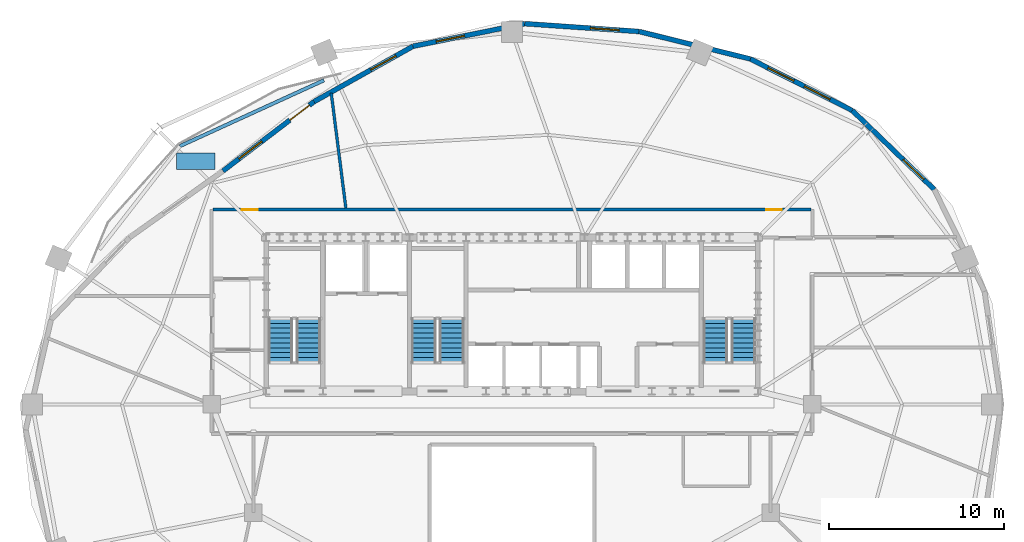
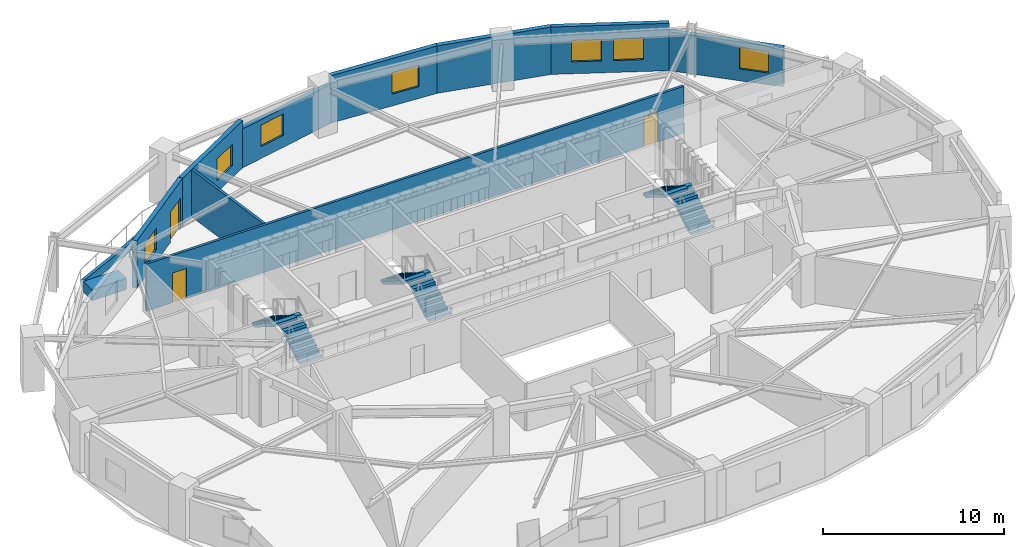
# One storey, part 6 of 10: 10 walls, 7 windows, 6 stair flights, 3 doors, 1 discrete accessory, 10 openings, 3 elements without a shape of their own.
"""IFC4 building model written with IfcOpenShell, lengths in metres."""

from ifc_helpers import new_model, si_unit, direction, frame, frame_2d, origin, origin_2d, place, context, subcontext, project, spatial, polyline, rectangle, outline, extrude, material, layer, layer_set, type_object, element, fill, aggregate, save


model = new_model("IFC4")

# Units and contexts
model_context = context("Model", 3, precision=1e-05, world=origin(), true_north=direction((0.0, 1.0)))
body_context = subcontext(model_context, "Body", "Model", "MODEL_VIEW")
ifc_project = project(units=[si_unit("LENGTHUNIT", "METRE"), si_unit("AREAUNIT", "SQUARE_METRE"), si_unit("VOLUMEUNIT", "CUBIC_METRE"), si_unit("PLANEANGLEUNIT", "RADIAN"), si_unit("MASSUNIT", "GRAM", prefix="KILO")], contexts=[model_context])

# Site, building, storey
site_placement = place(None, origin())
site = spatial("IfcSite", under=ifc_project, at=site_placement, CompositionType="ELEMENT")
building_placement = place(site_placement, origin())
building = spatial("IfcBuilding", under=site, at=building_placement, Name="Haldorwick Loom Tower", CompositionType="ELEMENT")
storey_placement = place(building_placement, frame((0.0, 0.0, 185.5)))
storey = spatial("IfcBuildingStorey", under=building, at=storey_placement, Name="L50", CompositionType="ELEMENT", Elevation=185.5)

# Wall, opening, window
ifc_material_1 = material(Name="Pressed Clay Face Brick and Insulated Masonry Backup Assembly", Category="masonry")
ifc_layer_1 = layer(ifc_material_1, 0.280029296875, Name="Pressed Clay Face Brick and Insulated Masonry Backup Assembly", Category="masonry")
ifc_layer_set_1 = layer_set([ifc_layer_1], Name="Pressed Clay Face Brick and Insulated Masonry Backup Assembly")
wall_type_1 = type_object("IfcWallType", Name="ARC-WL-EXT280", PredefinedType="STANDARD", material=ifc_layer_set_1)
wall_1_placement = place(storey_placement, frame((60.16943359375, 38.30419921875, 0.0), z_axis=(0.0, 0.0, 1.0), x_axis=(-0.720077891646, 0.693893241041, 0.0)))
wall_1 = element("IfcWall", 1, at=wall_1_placement, inside=storey, type_object=wall_type_1, Name="L50 Brick Pier and Spandrel Wall 3", PredefinedType="STANDARD", context=body_context, shape_type="SweptSolid", body=[
    extrude(rectangle(XDim=6.508056640625, YDim=0.280029296875, at=frame_2d((3.25390625, 0.0))), origin(), (0.0, 0.0, 1.0), 2.62109375),
])
opening_1_placement = place(wall_1_placement, frame((0.8173828125, 0.0, 0.800048828125)))
opening_1 = element("IfcOpeningElement", 2, at=opening_1_placement, cuts=wall_1, Name="Opening W-01B", PredefinedType="OPENING", context=body_context, shape_type="SweptSolid", body=[
    extrude(rectangle(XDim=1.64990234375, YDim=1.449951171875, at=frame_2d((0.824951171875, 0.72509765625))), frame((0.0, 0.14990234375, 0.0), z_axis=(0.0, -1.0, 0.0), x_axis=(1.0, 0.0, 0.0)), (0.0, 0.0, 1.0), 0.300048828125),
])
ifc_material_2 = material(Name="Triple-Glazed Low-E Argon Insulated Glazing Unit", Category="glass")
window_type = type_object("IfcWindowType", Name="ARC-WIN-W165", PartitioningType="SINGLE_PANEL", PredefinedType="WINDOW", material=ifc_material_2)
window_1_placement = place(opening_1_placement, origin())
window_1 = element("IfcWindow", 3, at=window_1_placement, inside=storey, type_object=window_type, Name="L50 Deep-Set Zone 7A Window 3", OverallHeight=1.449951171875, OverallWidth=1.64990234375, PartitioningType="SINGLE_PANEL", PredefinedType="WINDOW", context=body_context, shape_type="SweptSolid", body=[
    extrude(rectangle(XDim=1.64990234375, YDim=1.449951171875, at=frame_2d((0.824951171875, 0.72509765625))), frame((0.0, 0.030029296875, 0.0), z_axis=(0.0, -1.0, 0.0), x_axis=(1.0, 0.0, 0.0)), (0.0, 0.0, 1.0), 0.06005859375),
])
fill(opening_1, window_1)

# Wall, openings, windows
wall_2_placement = place(storey_placement, frame((55.483154296875, 42.820068359375, 0.0), z_axis=(0.0, 0.0, 1.0), x_axis=(-0.89230520763, 0.451432626685, 0.0)))
wall_2 = element("IfcWall", 4, at=wall_2_placement, inside=storey, type_object=wall_type_1, Name="L50 Brick Pier and Spandrel Wall 4", PredefinedType="STANDARD", context=body_context, shape_type="SweptSolid", body=[
    extrude(rectangle(XDim=6.542724609375, YDim=0.280029296875, at=frame_2d((3.271484375, 0.0))), origin(), (0.0, 0.0, 1.0), 3.18994140625),
])
opening_2_placement = place(wall_2_placement, frame((1.423095703125, 0.0, 0.800048828125)))
opening_2 = element("IfcOpeningElement", 5, at=opening_2_placement, cuts=wall_2, Name="Opening W-01B", PredefinedType="OPENING", context=body_context, shape_type="SweptSolid", body=[
    extrude(rectangle(XDim=1.64990234375, YDim=1.449951171875, at=frame_2d((0.824951171875, 0.72509765625))), frame((0.0, 0.14990234375, 0.0), z_axis=(0.0, -1.0, 0.0), x_axis=(1.0, 0.0, 0.0)), (0.0, 0.0, 1.0), 0.300048828125),
])
opening_3_placement = place(wall_2_placement, frame((3.7548828125, 0.0, 0.800048828125)))
opening_3 = element("IfcOpeningElement", 6, at=opening_3_placement, cuts=wall_2, Name="Opening W-01B", PredefinedType="OPENING", context=body_context, shape_type="SweptSolid", body=[
    extrude(rectangle(XDim=1.64990234375, YDim=1.449951171875, at=frame_2d((0.824951171875, 0.72509765625))), frame((0.0, 0.14990234375, 0.0), z_axis=(0.0, -1.0, 0.0), x_axis=(1.0, 0.0, 0.0)), (0.0, 0.0, 1.0), 0.300048828125),
])
window_2_placement = place(opening_2_placement, origin())
window_2 = element("IfcWindow", 7, at=window_2_placement, inside=storey, type_object=window_type, Name="L50 Deep-Set Zone 7A Window 4", OverallHeight=1.449951171875, OverallWidth=1.64990234375, PartitioningType="SINGLE_PANEL", PredefinedType="WINDOW", context=body_context, shape_type="SweptSolid", body=[
    extrude(rectangle(XDim=1.64990234375, YDim=1.449951171875, at=frame_2d((0.824951171875, 0.72509765625))), frame((0.0, 0.030029296875, 0.0), z_axis=(0.0, -1.0, 0.0), x_axis=(1.0, 0.0, 0.0)), (0.0, 0.0, 1.0), 0.06005859375),
])
fill(opening_2, window_2)
window_3_placement = place(opening_3_placement, origin())
window_3 = element("IfcWindow", 8, at=window_3_placement, inside=storey, type_object=window_type, Name="L50 Deep-Set Zone 7A Window 4", OverallHeight=1.449951171875, OverallWidth=1.64990234375, PartitioningType="SINGLE_PANEL", PredefinedType="WINDOW", context=body_context, shape_type="SweptSolid", body=[
    extrude(rectangle(XDim=1.64990234375, YDim=1.449951171875, at=frame_2d((0.824951171875, 0.72509765625))), frame((0.0, 0.030029296875, 0.0), z_axis=(0.0, -1.0, 0.0), x_axis=(1.0, 0.0, 0.0)), (0.0, 0.0, 1.0), 0.06005859375),
])
fill(opening_3, window_3)

# Wall
wall_3_placement = place(storey_placement, frame((49.64501953125, 45.773681640625, 0.0), z_axis=(0.0, 0.0, 1.0), x_axis=(-0.970868983221, 0.239610970991, 0.0)))
element("IfcWall", 9, at=wall_3_placement, inside=storey, type_object=wall_type_1, Name="L50 Brick Pier and Spandrel Wall 5", PredefinedType="STANDARD", context=body_context, shape_type="SweptSolid", body=[
    extrude(rectangle(XDim=6.562744140625, YDim=0.280029296875, at=frame_2d((3.28125, 0.0))), origin(), (0.0, 0.0, 1.0), 3.18994140625),
])

# Wall, opening, window
wall_4_placement = place(storey_placement, frame((43.2734375, 47.34619140625, 0.0), z_axis=(0.0, 0.0, 1.0), x_axis=(-0.997664997633, 0.068297529217, 0.0)))
wall_4 = element("IfcWall", 10, at=wall_4_placement, inside=storey, type_object=wall_type_1, Name="L50 Brick Pier and Spandrel Wall 6", PredefinedType="STANDARD", context=body_context, shape_type="SweptSolid", body=[
    extrude(rectangle(XDim=6.5595703125, YDim=0.280029296875, at=frame_2d((3.27978515625, 0.0))), origin(), (0.0, 0.0, 1.0), 3.18994140625),
])
opening_4_placement = place(wall_4_placement, frame((1.142822265625, 0.0, 0.800048828125)))
opening_4 = element("IfcOpeningElement", 11, at=opening_4_placement, cuts=wall_4, Name="Opening W-01B", PredefinedType="OPENING", context=body_context, shape_type="SweptSolid", body=[
    extrude(rectangle(XDim=1.64990234375, YDim=1.449951171875, at=frame_2d((0.824951171875, 0.72509765625))), frame((0.0, 0.14990234375, 0.0), z_axis=(0.0, -1.0, 0.0), x_axis=(1.0, 0.0, 0.0)), (0.0, 0.0, 1.0), 0.300048828125),
])
window_4_placement = place(opening_4_placement, origin())
window_4 = element("IfcWindow", 12, at=window_4_placement, inside=storey, type_object=window_type, Name="L50 Deep-Set Zone 7A Window 6", OverallHeight=1.449951171875, OverallWidth=1.64990234375, PartitioningType="SINGLE_PANEL", PredefinedType="WINDOW", context=body_context, shape_type="SweptSolid", body=[
    extrude(rectangle(XDim=1.64990234375, YDim=1.449951171875, at=frame_2d((0.824951171875, 0.72509765625))), frame((0.0, 0.030029296875, 0.0), z_axis=(0.0, -1.0, 0.0), x_axis=(1.0, 0.0, 0.0)), (0.0, 0.0, 1.0), 0.06005859375),
])
fill(opening_4, window_4)

wall_5_placement = place(storey_placement, frame((36.729248046875, 47.794189453125, 0.0), z_axis=(0.0, 0.0, 1.0), x_axis=(-0.980155547325, -0.198229924702, 0.0)))
wall_5 = element("IfcWall", 13, at=wall_5_placement, inside=storey, type_object=wall_type_1, Name="L50 Brick Pier and Spandrel Wall 7", PredefinedType="STANDARD", context=body_context, shape_type="SweptSolid", body=[
    extrude(rectangle(XDim=6.52880859375, YDim=0.280029296875, at=frame_2d((3.264404296875, 0.0))), origin(), (0.0, 0.0, 1.0), 2.62109375),
])
opening_5_placement = place(wall_5_placement, frame((3.51904296875, 0.0, 0.800048828125)))
opening_5 = element("IfcOpeningElement", 14, at=opening_5_placement, cuts=wall_5, Name="Opening W-01B", PredefinedType="OPENING", context=body_context, shape_type="SweptSolid", body=[
    extrude(rectangle(XDim=1.64990234375, YDim=1.449951171875, at=frame_2d((0.824951171875, 0.72509765625))), frame((0.0, 0.14990234375, 0.0), z_axis=(0.0, -1.0, 0.0), x_axis=(1.0, 0.0, 0.0)), (0.0, 0.0, 1.0), 0.300048828125),
])
window_5_placement = place(opening_5_placement, origin())
window_5 = element("IfcWindow", 15, at=window_5_placement, inside=storey, type_object=window_type, Name="L50 Deep-Set Zone 7A Window 7", OverallHeight=1.449951171875, OverallWidth=1.64990234375, PartitioningType="SINGLE_PANEL", PredefinedType="WINDOW", context=body_context, shape_type="SweptSolid", body=[
    extrude(rectangle(XDim=1.64990234375, YDim=1.449951171875, at=frame_2d((0.824951171875, 0.72509765625))), frame((0.0, 0.030029296875, 0.0), z_axis=(0.0, -1.0, 0.0), x_axis=(1.0, 0.0, 0.0)), (0.0, 0.0, 1.0), 0.06005859375),
])
fill(opening_5, window_5)

wall_6_placement = place(storey_placement, frame((30.330078125, 46.5, 0.0), z_axis=(0.0, 0.0, 1.0), x_axis=(-0.872575282688, -0.488479657757, 0.0)))
wall_6 = element("IfcWall", 16, at=wall_6_placement, inside=storey, type_object=wall_type_1, Name="L50 Brick Pier and Spandrel Wall 8", PredefinedType="STANDARD", context=body_context, shape_type="SweptSolid", body=[
    extrude(rectangle(XDim=6.490478515625, YDim=0.280029296875, at=frame_2d((3.2451171875, 0.0))), origin(), (0.0, 0.0, 1.0), 3.18994140625),
])
opening_6_placement = place(wall_6_placement, frame((1.1220703125, 0.0, 0.800048828125)))
opening_6 = element("IfcOpeningElement", 17, at=opening_6_placement, cuts=wall_6, Name="Opening W-01B", PredefinedType="OPENING", context=body_context, shape_type="SweptSolid", body=[
    extrude(rectangle(XDim=1.64990234375, YDim=1.449951171875, at=frame_2d((0.824951171875, 0.72509765625))), frame((0.0, 0.14990234375, 0.0), z_axis=(0.0, -1.0, 0.0), x_axis=(1.0, 0.0, 0.0)), (0.0, 0.0, 1.0), 0.300048828125),
])
window_6_placement = place(opening_6_placement, origin())
window_6 = element("IfcWindow", 18, at=window_6_placement, inside=storey, type_object=window_type, Name="L50 Deep-Set Zone 7A Window 8", OverallHeight=1.449951171875, OverallWidth=1.64990234375, PartitioningType="SINGLE_PANEL", PredefinedType="WINDOW", context=body_context, shape_type="SweptSolid", body=[
    extrude(rectangle(XDim=1.64990234375, YDim=1.449951171875, at=frame_2d((0.824951171875, 0.72509765625))), frame((0.0, 0.030029296875, 0.0), z_axis=(0.0, -1.0, 0.0), x_axis=(1.0, 0.0, 0.0)), (0.0, 0.0, 1.0), 0.06005859375),
])
fill(opening_6, window_6)

# Wall, openings, door, window
wall_7_placement = place(storey_placement, frame((24.666748046875, 43.32958984375, 0.0), z_axis=(0.0, 0.0, 1.0), x_axis=(-0.795713912937, -0.605672658091, 0.0)))
wall_7 = element("IfcWall", 19, at=wall_7_placement, inside=storey, type_object=wall_type_1, Name="L50 Brick Pier and Spandrel Wall 9", PredefinedType="STANDARD", context=body_context, shape_type="SweptSolid", body=[
    extrude(rectangle(XDim=6.5517578125, YDim=0.280029296875, at=frame_2d((3.27587890625, 0.0))), origin(), (0.0, 0.0, 1.0), 3.18994140625),
])
opening_7_placement = place(wall_7_placement, frame((0.340087890625, 0.0, 0.0)))
opening_7 = element("IfcOpeningElement", 20, at=opening_7_placement, cuts=wall_7, Name="Opening D-TR14", PredefinedType="OPENING", context=body_context, shape_type="SweptSolid", body=[
    extrude(rectangle(XDim=1.39990234375, YDim=2.0400390625, at=frame_2d((0.699951171875, 1.02001953125))), frame((0.0, 0.14990234375, 0.0), z_axis=(0.0, -1.0, 0.0), x_axis=(1.0, 0.0, 0.0)), (0.0, 0.0, 1.0), 0.300048828125),
])
opening_8_placement = place(wall_7_placement, frame((3.76123046875, 0.0, 0.800048828125)))
opening_8 = element("IfcOpeningElement", 21, at=opening_8_placement, cuts=wall_7, Name="Opening W-01B", PredefinedType="OPENING", context=body_context, shape_type="SweptSolid", body=[
    extrude(rectangle(XDim=1.64990234375, YDim=1.449951171875, at=frame_2d((0.824951171875, 0.72509765625))), frame((0.0, 0.14990234375, 0.0), z_axis=(0.0, -1.0, 0.0), x_axis=(1.0, 0.0, 0.0)), (0.0, 0.0, 1.0), 0.300048828125),
])
ifc_material_3 = material(Name="Thermally Broken Anodized Aluminium Curtain Wall Framing", Category="aluminium")
door_type_1 = type_object("IfcDoorType", Name="ARC-DR-EXT-TER", OperationType="DOUBLE_DOOR_SINGLE_SWING", PredefinedType="DOOR", material=ifc_material_3)
door_1_placement = place(opening_7_placement, origin())
door_1 = element("IfcDoor", 22, at=door_1_placement, inside=storey, type_object=door_type_1, Name="L50 Outdoor Terrace Door SLB-L50-TERR-1", OperationType="DOUBLE_DOOR_SINGLE_SWING", OverallHeight=2.0400390625, OverallWidth=1.39990234375, PredefinedType="DOOR", context=body_context, shape_type="SweptSolid", body=[
    extrude(rectangle(XDim=1.39990234375, YDim=2.0400390625, at=frame_2d((0.699951171875, 1.02001953125))), frame((0.0, 0.02490234375, 0.0), z_axis=(0.0, -1.0, 0.0), x_axis=(1.0, 0.0, 0.0)), (0.0, 0.0, 1.0), 0.050048828125),
])
fill(opening_7, door_1)
window_7_placement = place(opening_8_placement, origin())
window_7 = element("IfcWindow", 23, at=window_7_placement, inside=storey, type_object=window_type, Name="L50 Deep-Set Zone 7A Window 9", OverallHeight=1.449951171875, OverallWidth=1.64990234375, PartitioningType="SINGLE_PANEL", PredefinedType="WINDOW", context=body_context, shape_type="SweptSolid", body=[
    extrude(rectangle(XDim=1.64990234375, YDim=1.449951171875, at=frame_2d((0.824951171875, 0.72509765625))), frame((0.0, 0.030029296875, 0.0), z_axis=(0.0, -1.0, 0.0), x_axis=(1.0, 0.0, 0.0)), (0.0, 0.0, 1.0), 0.06005859375),
])
fill(opening_8, window_7)

# Wall, openings, doors
ifc_material_4 = material(Name="Fire-Rated Type X Gypsum Stud Assembly EI 60")
ifc_layer_2 = layer(ifc_material_4, 0.159912109375, Name="Fire-Rated Type X Gypsum Stud Assembly EI 60")
ifc_layer_set_2 = layer_set([ifc_layer_2], Name="Fire-Rated Type X Gypsum Stud Assembly EI 60")
wall_type_2 = type_object("IfcWallType", Name="ARC-WL-FIRE160", PredefinedType="PARTITIONING", material=ifc_layer_set_2)
wall_8_placement = place(storey_placement, frame((18.883056640625, 37.14990234375, 0.0), z_axis=(0.0, 0.0, 1.0), x_axis=(1.0, 0.0, 0.0)))
wall_8 = element("IfcWall", 24, at=wall_8_placement, inside=storey, type_object=wall_type_2, Name="L50 Residential Fire Partition L50-CR-N0", PredefinedType="PARTITIONING", context=body_context, shape_type="SweptSolid", body=[
    extrude(rectangle(XDim=34.23388671875, YDim=0.159912109375, at=frame_2d((17.116943359375, 0.0))), origin(), (0.0, 0.0, 1.0), 3.175048828125),
])
opening_9_placement = place(wall_8_placement, frame((31.673828125, 0.0, 0.0)))
opening_9 = element("IfcOpeningElement", 25, at=opening_9_placement, cuts=wall_8, Name="Opening D-FD60A", PredefinedType="OPENING", context=body_context, shape_type="SweptSolid", body=[
    extrude(rectangle(XDim=0.89990234375, YDim=2.0, at=frame_2d((0.449951171875, 1.0))), frame((0.0, 0.08984375, 0.0), z_axis=(0.0, -1.0, 0.0), x_axis=(1.0, 0.0, 0.0)), (0.0, 0.0, 1.0), 0.179931640625),
])
opening_10_placement = place(wall_8_placement, frame((1.65771484375, 0.0, 0.0)))
opening_10 = element("IfcOpeningElement", 26, at=opening_10_placement, cuts=wall_8, Name="Opening D-FD60A", PredefinedType="OPENING", context=body_context, shape_type="SweptSolid", body=[
    extrude(rectangle(XDim=0.89990234375, YDim=2.0, at=frame_2d((0.449951171875, 1.0))), frame((0.0, 0.08984375, 0.0), z_axis=(0.0, -1.0, 0.0), x_axis=(1.0, 0.0, 0.0)), (0.0, 0.0, 1.0), 0.179931640625),
])
ifc_material_5 = material(Name="Hollow Steel Fire Door Assembly", Category="steel")
door_type_2 = type_object("IfcDoorType", Name="ARC-DR-FD60-90", OperationType="NOTDEFINED", PredefinedType="DOOR", material=ifc_material_5)
door_2_placement = place(opening_9_placement, frame((0.89990234375, 0.0, 0.0), z_axis=(0.0, 0.0, 1.0), x_axis=(-1.0, 0.0, 0.0)))
door_2 = element("IfcDoor", 27, at=door_2_placement, inside=storey, type_object=door_type_2, Name="L50 Shared Resident Dining Hall 7 to L50 North Residential Corridor Door", OperationType="SINGLE_SWING_LEFT", OverallHeight=2.0, OverallWidth=0.89990234375, PredefinedType="DOOR", context=body_context, shape_type="SweptSolid", body=[
    extrude(rectangle(XDim=0.89990234375, YDim=2.0, at=frame_2d((0.449951171875, 1.0))), frame((0.0, 0.02490234375, 0.0), z_axis=(0.0, -1.0, 0.0), x_axis=(1.0, 0.0, 0.0)), (0.0, 0.0, 1.0), 0.050048828125),
])
fill(opening_9, door_2)
door_3_placement = place(opening_10_placement, frame((0.89990234375, 0.0, 0.0), z_axis=(0.0, 0.0, 1.0), x_axis=(-1.0, 0.0, 0.0)))
door_3 = element("IfcDoor", 28, at=door_3_placement, inside=storey, type_object=door_type_2, Name="L50 Shared Resident Dining Hall 2 to L50 North Residential Corridor Door", OperationType="SINGLE_SWING_RIGHT", OverallHeight=2.0, OverallWidth=0.89990234375, PredefinedType="DOOR", context=body_context, shape_type="SweptSolid", body=[
    extrude(rectangle(XDim=0.89990234375, YDim=2.0, at=frame_2d((0.449951171875, 1.0))), frame((0.0, 0.02490234375, 0.0), z_axis=(0.0, -1.0, 0.0), x_axis=(1.0, 0.0, 0.0)), (0.0, 0.0, 1.0), 0.050048828125),
])
fill(opening_10, door_3)

# Walls
wall_9_placement = place(storey_placement, frame((26.489501953125, 37.23291015625, 0.0), z_axis=(0.0, 0.0, 1.0), x_axis=(-0.126126828207, 0.9920141245, 0.0)))
element("IfcWall", 29, at=wall_9_placement, inside=storey, type_object=wall_type_2, Name="L50 Residential Fire Partition L50-UPN-13", PredefinedType="PARTITIONING", context=body_context, shape_type="SweptSolid", body=[
    extrude(rectangle(XDim=6.64892578125, YDim=0.159912109375, at=frame_2d((3.324462890625, 0.0))), origin(), (0.0, 0.0, 1.0), 3.175048828125),
])
ifc_layer_3 = layer(ifc_material_1, 0.199951171875, Name="Pressed Clay Face Brick and Insulated Masonry Backup Assembly", Category="masonry")
ifc_layer_set_3 = layer_set([ifc_layer_3], Name="Pressed Clay Face Brick and Insulated Masonry Backup Assembly")
wall_type_3 = type_object("IfcWallType", Name="ARC-WL-PARAPET200", PredefinedType="PARAPET", material=ifc_layer_set_3)
wall_10_placement = place(storey_placement, frame((16.98779296875, 40.7841796875, 0.0), z_axis=(0.0, 0.0, 1.0), x_axis=(0.909493091152, 0.415719036306, 0.0)))
element("IfcWall", 30, at=wall_10_placement, inside=storey, type_object=wall_type_3, Name="L50 Terrace Masonry Parapet 2", PredefinedType="PARAPET", context=body_context, shape_type="SweptSolid", body=[
    extrude(rectangle(XDim=9.0673828125, YDim=0.199951171875, at=frame_2d((4.53369140625, 0.0))), origin(), (0.0, 0.0, 1.0), 0.550048828125),
])

# Stair, stair flights
ifc_material_6 = material(Name="Concrete C40 (40 MPa)", Category="concrete")
stair_type = type_object("IfcStairType", Name="STR-STR-CORE", PredefinedType="HALF_TURN_STAIR", material=ifc_material_6)
stair_1_placement = place(storey_placement, origin())
stair_1 = element("IfcStair", 31, at=stair_1_placement, inside=storey, type_object=stair_type, Name="L50 Exit Stair ST-01", PredefinedType="HALF_TURN_STAIR")
stair_flight_type = type_object("IfcStairFlightType", Name="STR-STF-1250", PredefinedType="STRAIGHT", material=ifc_material_6)
stair_flight_1_placement = place(storey_placement, frame((24.35009765625, 28.39990234375, 0.0), z_axis=(0.0, 0.0, 1.0), x_axis=(0.0, 1.0, 0.0)))
stair_flight_1 = element("IfcStairFlight", 32, at=stair_flight_1_placement, type_object=stair_flight_type, Name="ST-01 flight 1", NumberOfRisers=10, NumberOfTreads=9, PredefinedType="STRAIGHT", RiserHeight=0.1725, TreadLength=0.28, context=body_context, shape_type="SweptSolid", body=[
    extrude(outline(polyline([(0.0, 0.0), (0.0, 0.172607421875), (0.280029296875, 0.172607421875), (0.280029296875, 0.344970703125), (0.56005859375, 0.344970703125), (0.56005859375, 0.517578125), (0.840087890625, 0.517578125), (0.840087890625, 0.68994140625), (1.1201171875, 0.68994140625), (1.1201171875, 0.862548828125), (1.39990234375, 0.862548828125), (1.39990234375, 1.034912109375), (1.679931640625, 1.034912109375), (1.679931640625, 1.20751953125), (1.9599609375, 1.20751953125), (1.9599609375, 1.3798828125), (2.239990234375, 1.3798828125), (2.239990234375, 1.552490234375), (2.52001953125, 1.552490234375), (2.52001953125, 1.72509765625), (2.52001953125, 1.37646484375), (0.285888671875, 0.0), (0.0, 0.0)])), frame((0.0, 0.699951171875, 0.0), z_axis=(0.0, -1.0, 0.0), x_axis=(1.0, 0.0, 0.0)), (0.0, 0.0, 1.0), 1.39990234375),
])
stair_flight_2_placement = place(storey_placement, frame((22.75, 30.919921875, 1.72509765625), z_axis=(0.0, 0.0, 1.0), x_axis=(0.0, -1.0, 0.0)))
stair_flight_2 = element("IfcStairFlight", 33, at=stair_flight_2_placement, type_object=stair_flight_type, Name="ST-01 flight 2", NumberOfRisers=10, NumberOfTreads=9, PredefinedType="STRAIGHT", RiserHeight=0.1725, TreadLength=0.28, context=body_context, shape_type="SweptSolid", body=[
    extrude(outline(polyline([(0.0, 0.0), (0.0, 0.172607421875), (0.280029296875, 0.172607421875), (0.280029296875, 0.344970703125), (0.56005859375, 0.344970703125), (0.56005859375, 0.517578125), (0.840087890625, 0.517578125), (0.840087890625, 0.68994140625), (1.1201171875, 0.68994140625), (1.1201171875, 0.862548828125), (1.39990234375, 0.862548828125), (1.39990234375, 1.034912109375), (1.679931640625, 1.034912109375), (1.679931640625, 1.20751953125), (1.9599609375, 1.20751953125), (1.9599609375, 1.3798828125), (2.239990234375, 1.3798828125), (2.239990234375, 1.552490234375), (2.52001953125, 1.552490234375), (2.52001953125, 1.72509765625), (2.52001953125, 1.37646484375), (0.285888671875, 0.0), (0.0, 0.0)])), frame((0.0, 0.699951171875, 0.0), z_axis=(0.0, -1.0, 0.0), x_axis=(1.0, 0.0, 0.0)), (0.0, 0.0, 1.0), 1.39990234375),
])
aggregate(stair_1, [stair_flight_1, stair_flight_2])

stair_2_placement = place(storey_placement, origin())
stair_2 = element("IfcStair", 34, at=stair_2_placement, inside=storey, type_object=stair_type, Name="L50 Exit Stair ST-02", PredefinedType="HALF_TURN_STAIR")
stair_flight_3_placement = place(storey_placement, frame((49.25, 28.39990234375, 0.0), z_axis=(0.0, 0.0, 1.0), x_axis=(0.0, 1.0, 0.0)))
stair_flight_3 = element("IfcStairFlight", 35, at=stair_flight_3_placement, type_object=stair_flight_type, Name="ST-02 flight 1", NumberOfRisers=10, NumberOfTreads=9, PredefinedType="STRAIGHT", RiserHeight=0.1725, TreadLength=0.28, context=body_context, shape_type="SweptSolid", body=[
    extrude(outline(polyline([(0.0, 0.0), (0.0, 0.172607421875), (0.280029296875, 0.172607421875), (0.280029296875, 0.344970703125), (0.56005859375, 0.344970703125), (0.56005859375, 0.517578125), (0.840087890625, 0.517578125), (0.840087890625, 0.68994140625), (1.1201171875, 0.68994140625), (1.1201171875, 0.862548828125), (1.39990234375, 0.862548828125), (1.39990234375, 1.034912109375), (1.679931640625, 1.034912109375), (1.679931640625, 1.20751953125), (1.9599609375, 1.20751953125), (1.9599609375, 1.3798828125), (2.239990234375, 1.3798828125), (2.239990234375, 1.552490234375), (2.52001953125, 1.552490234375), (2.52001953125, 1.72509765625), (2.52001953125, 1.37646484375), (0.285888671875, 0.0), (0.0, 0.0)])), frame((0.0, 0.699951171875, 0.0), z_axis=(0.0, -1.0, 0.0), x_axis=(1.0, 0.0, 0.0)), (0.0, 0.0, 1.0), 1.39990234375),
])
stair_flight_4_placement = place(storey_placement, frame((47.64990234375, 30.919921875, 1.72509765625), z_axis=(0.0, 0.0, 1.0), x_axis=(0.0, -1.0, 0.0)))
stair_flight_4 = element("IfcStairFlight", 36, at=stair_flight_4_placement, type_object=stair_flight_type, Name="ST-02 flight 2", NumberOfRisers=10, NumberOfTreads=9, PredefinedType="STRAIGHT", RiserHeight=0.1725, TreadLength=0.28, context=body_context, shape_type="SweptSolid", body=[
    extrude(outline(polyline([(0.0, 0.0), (0.0, 0.172607421875), (0.280029296875, 0.172607421875), (0.280029296875, 0.344970703125), (0.56005859375, 0.344970703125), (0.56005859375, 0.517578125), (0.840087890625, 0.517578125), (0.840087890625, 0.68994140625), (1.1201171875, 0.68994140625), (1.1201171875, 0.862548828125), (1.39990234375, 0.862548828125), (1.39990234375, 1.034912109375), (1.679931640625, 1.034912109375), (1.679931640625, 1.20751953125), (1.9599609375, 1.20751953125), (1.9599609375, 1.3798828125), (2.239990234375, 1.3798828125), (2.239990234375, 1.552490234375), (2.52001953125, 1.552490234375), (2.52001953125, 1.72509765625), (2.52001953125, 1.37646484375), (0.285888671875, 0.0), (0.0, 0.0)])), frame((0.0, 0.699951171875, 0.0), z_axis=(0.0, -1.0, 0.0), x_axis=(1.0, 0.0, 0.0)), (0.0, 0.0, 1.0), 1.39990234375),
])
aggregate(stair_2, [stair_flight_3, stair_flight_4])

stair_3_placement = place(storey_placement, origin())
stair_3 = element("IfcStair", 37, at=stair_3_placement, inside=storey, type_object=stair_type, Name="L50 Exit Stair ST-03", PredefinedType="HALF_TURN_STAIR")
stair_flight_5_placement = place(storey_placement, frame((32.550048828125, 28.39990234375, 0.0), z_axis=(0.0, 0.0, 1.0), x_axis=(0.0, 1.0, 0.0)))
stair_flight_5 = element("IfcStairFlight", 38, at=stair_flight_5_placement, type_object=stair_flight_type, Name="ST-03 flight 1", NumberOfRisers=10, NumberOfTreads=9, PredefinedType="STRAIGHT", RiserHeight=0.1725, TreadLength=0.28, context=body_context, shape_type="SweptSolid", body=[
    extrude(outline(polyline([(0.0, 0.0), (0.0, 0.172607421875), (0.280029296875, 0.172607421875), (0.280029296875, 0.344970703125), (0.56005859375, 0.344970703125), (0.56005859375, 0.517578125), (0.840087890625, 0.517578125), (0.840087890625, 0.68994140625), (1.1201171875, 0.68994140625), (1.1201171875, 0.862548828125), (1.39990234375, 0.862548828125), (1.39990234375, 1.034912109375), (1.679931640625, 1.034912109375), (1.679931640625, 1.20751953125), (1.9599609375, 1.20751953125), (1.9599609375, 1.3798828125), (2.239990234375, 1.3798828125), (2.239990234375, 1.552490234375), (2.52001953125, 1.552490234375), (2.52001953125, 1.72509765625), (2.52001953125, 1.37646484375), (0.285888671875, 0.0), (0.0, 0.0)])), frame((0.0, 0.699951171875, 0.0), z_axis=(0.0, -1.0, 0.0), x_axis=(1.0, 0.0, 0.0)), (0.0, 0.0, 1.0), 1.39990234375),
])
stair_flight_6_placement = place(storey_placement, frame((30.949951171875, 30.919921875, 1.72509765625), z_axis=(0.0, 0.0, 1.0), x_axis=(0.0, -1.0, 0.0)))
stair_flight_6 = element("IfcStairFlight", 39, at=stair_flight_6_placement, type_object=stair_flight_type, Name="ST-03 flight 2", NumberOfRisers=10, NumberOfTreads=9, PredefinedType="STRAIGHT", RiserHeight=0.1725, TreadLength=0.28, context=body_context, shape_type="SweptSolid", body=[
    extrude(outline(polyline([(0.0, 0.0), (0.0, 0.172607421875), (0.280029296875, 0.172607421875), (0.280029296875, 0.344970703125), (0.56005859375, 0.344970703125), (0.56005859375, 0.517578125), (0.840087890625, 0.517578125), (0.840087890625, 0.68994140625), (1.1201171875, 0.68994140625), (1.1201171875, 0.862548828125), (1.39990234375, 0.862548828125), (1.39990234375, 1.034912109375), (1.679931640625, 1.034912109375), (1.679931640625, 1.20751953125), (1.9599609375, 1.20751953125), (1.9599609375, 1.3798828125), (2.239990234375, 1.3798828125), (2.239990234375, 1.552490234375), (2.52001953125, 1.552490234375), (2.52001953125, 1.72509765625), (2.52001953125, 1.37646484375), (0.285888671875, 0.0), (0.0, 0.0)])), frame((0.0, 0.699951171875, 0.0), z_axis=(0.0, -1.0, 0.0), x_axis=(1.0, 0.0, 0.0)), (0.0, 0.0, 1.0), 1.39990234375),
])
aggregate(stair_3, [stair_flight_5, stair_flight_6])

# Discrete accessory
ifc_material_7 = material(Name="Architectural Precast Concrete C40 (40 MPa)", Category="concrete")
discrete_accessory_type = type_object("IfcDiscreteAccessoryType", Name="ARC-ACC-PLANTER", PredefinedType="USERDEFINED", material=ifc_material_7)
discrete_accessory_placement = place(storey_placement, frame((17.893310546875, 39.91748046875, 0.0), z_axis=(0.0, 0.0, 1.0), x_axis=(1.0, 0.0, 0.0)))
element("IfcDiscreteAccessory", 40, at=discrete_accessory_placement, inside=storey, type_object=discrete_accessory_type, Name="L50 Setback Terrace Planter", ObjectType="PLANTER", PredefinedType="USERDEFINED", context=body_context, shape_type="SweptSolid", body=[
    extrude(rectangle(XDim=2.199951171875, YDim=0.949951171875, at=origin_2d()), origin(), (0.0, 0.0, 1.0), 0.75),
])

save(model, "model.ifc")
